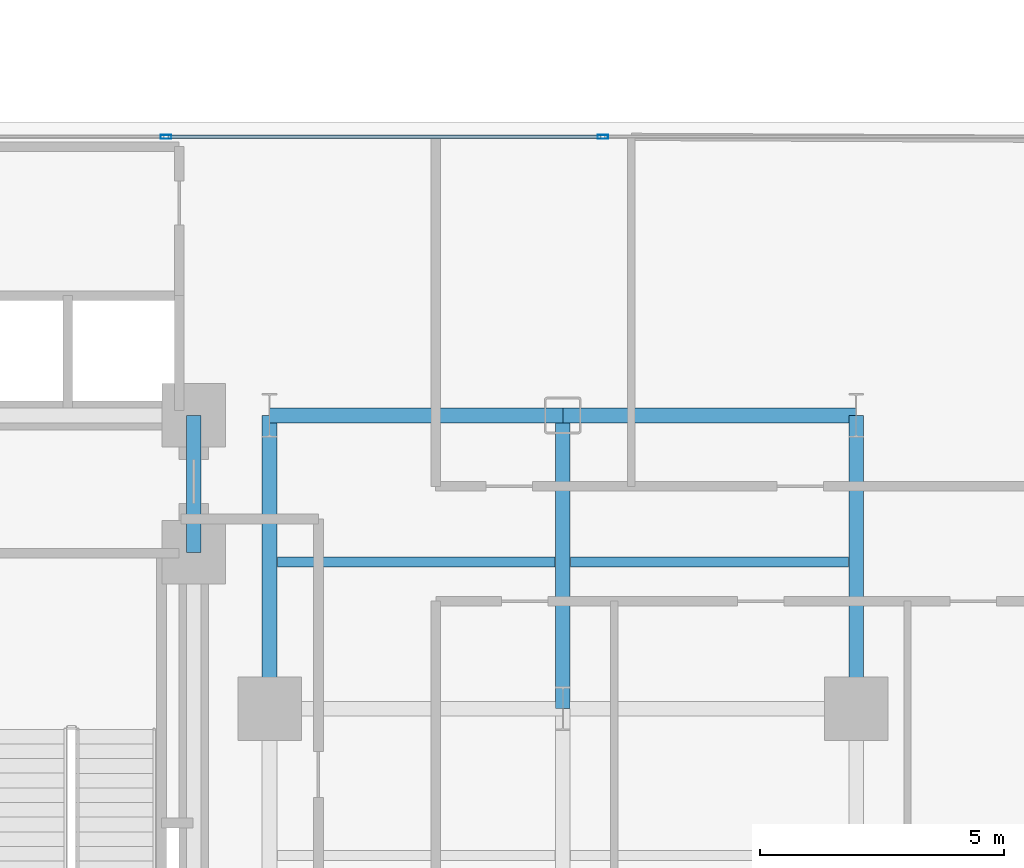
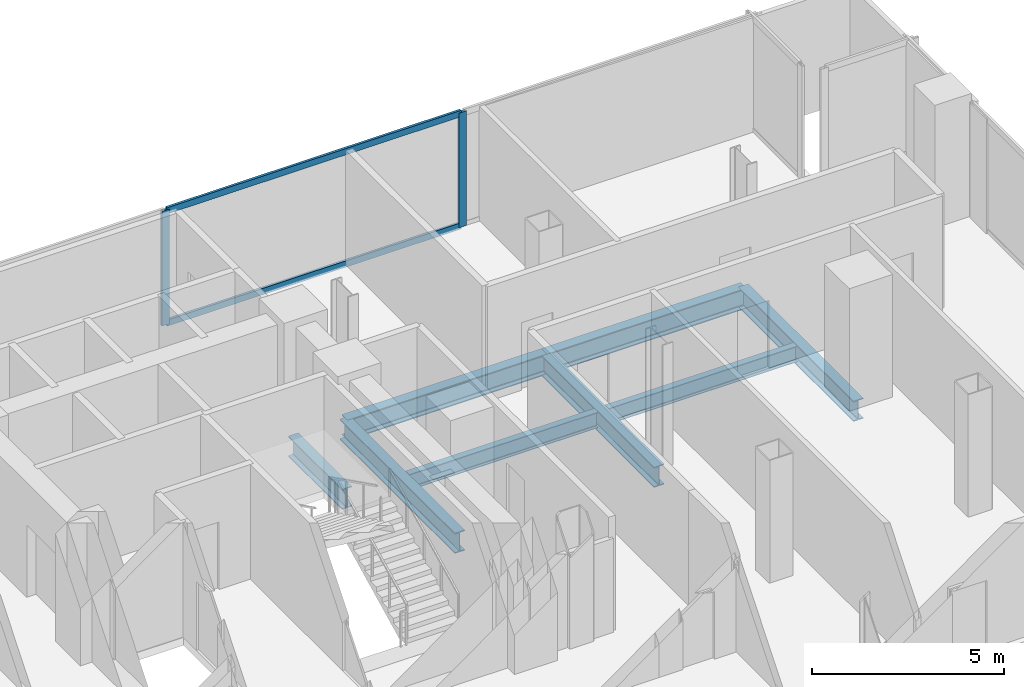
# One storey, part 11 of 27: 8 beams, 4 members, 1 element without a shape of its own.
"""IFC4 building model written with IfcOpenShell, lengths in metres."""

from ifc_helpers import new_model, si_unit, direction, frame, origin, origin_2d, place, context, subcontext, project, spatial, hollow_rectangle, i_section, extrude, material, layer, layer_set, material_profile, profile_set, type_object, element, aggregate, save


model = new_model("IFC4")

# Units and contexts
model_context = context("Model", 3, precision=1e-05, world=origin(), true_north=direction((0.0, 1.0)))
body_context = subcontext(model_context, "Body", "Model", "MODEL_VIEW")
ifc_project = project(units=[si_unit("LENGTHUNIT", "METRE"), si_unit("AREAUNIT", "SQUARE_METRE"), si_unit("VOLUMEUNIT", "CUBIC_METRE"), si_unit("PLANEANGLEUNIT", "RADIAN"), si_unit("MASSUNIT", "GRAM", prefix="KILO"), si_unit("THERMODYNAMICTEMPERATUREUNIT", "KELVIN"), si_unit("POWERUNIT", "WATT")], contexts=[model_context])

# Site, building, storey
site_placement = place(None, origin())
site = spatial("IfcSite", under=ifc_project, at=site_placement, CompositionType="ELEMENT")
building_placement = place(site_placement, origin())
building = spatial("IfcBuilding", under=site, at=building_placement, Name="Svarakhadi Broadcast Tower", CompositionType="ELEMENT")
storey_placement = place(building_placement, frame((0.0, 0.0, 55.800048828125)))
storey = spatial("IfcBuildingStorey", under=building, at=storey_placement, Name="L12", CompositionType="ELEMENT", Elevation=55.800048828125)

# Beams
ifc_material_1 = material(Name="Steel S355J2 (IS 2062 E350C)", Category="steel")
ifc_material_profile_1 = material_profile(ifc_material_1, i_section(OverallWidth=0.199951171875, OverallDepth=0.5, WebThickness=0.01025390625, FlangeThickness=0.01611328125, FilletRadius=0.02099609375, at=origin_2d()), Name="NPB 500x200x91")
ifc_profile_set_1 = profile_set([ifc_material_profile_1], Name="Steel S355J2 (IS 2062 E350C)")
beam_type_1 = type_object("IfcBeamType", Name="Beam_NPB500", PredefinedType="BEAM", material=ifc_profile_set_1)
for number, where, z_axis, x_axis, name in (
    (1, (35.31005859375, 15.0, -0.5), (1.0, 0.0, 0.0), (0.0, 1.0, 0.0), "L12 Secondary Composite Beam SB024"),
    (2, (41.31005859375, 15.0, -0.5), (1.0, 0.0, 0.0), (0.0, 1.0, 0.0), "L12 Secondary Composite Beam SB027"),
):
    element("IfcBeam", number, at=place(storey_placement, frame(where, z_axis=z_axis, x_axis=x_axis)), inside=storey, type_object=beam_type_1, Name=name, PredefinedType="BEAM", context=body_context, shape_type="SweptSolid", body=[
        extrude(i_section(OverallWidth=0.199951171875, OverallDepth=0.5, WebThickness=0.01025390625, FlangeThickness=0.01611328125, FilletRadius=0.02099609375, at=origin_2d()), origin(), (0.0, 0.0, 1.0), 5.679931640625),
    ])

# Curtain wall, members
ifc_material_2 = material(Name="Anodised Bronze Aluminium AA 6063-T6", Category="aluminium")
ifc_layer = layer(ifc_material_2, 0.219970703125)
ifc_layer_set = layer_set([ifc_layer], Name="Anodised Bronze Aluminium AA 6063-T6")
curtain_wall_type = type_object("IfcCurtainWallType", Name="CW_Sys_02", PredefinedType="NOTDEFINED", material=ifc_layer_set)
curtain_wall_placement = place(storey_placement, origin())
curtain_wall = element("IfcCurtainWall", 3, at=curtain_wall_placement, inside=storey, type_object=curtain_wall_type, Name="L12 Unitised Facade Curtain Wall 10", PredefinedType="NOTDEFINED")
ifc_material_profile_2 = material_profile(ifc_material_2, hollow_rectangle(XDim=0.0849609375, YDim=0.219970703125, WallThickness=0.006103515625, at=origin_2d()), Name="ALU MULLION 220x85x6")
ifc_profile_set_2 = profile_set([ifc_material_profile_2], Name="Anodised Bronze Aluminium AA 6063-T6")
member_type_1 = type_object("IfcMemberType", Name="CW_Sys_02_Mul", PredefinedType="MULLION", material=ifc_profile_set_2)
member_1_placement = place(storey_placement, frame((33.030029296875, 23.699951171875, 0.0), z_axis=(0.0, 0.0, 1.0), x_axis=(0.0, 1.0, 0.0)))
member_1 = element("IfcMember", 4, at=member_1_placement, type_object=member_type_1, Name="CW-02 mullion 2", PredefinedType="MULLION", context=body_context, shape_type="SweptSolid", body=[
    extrude(hollow_rectangle(XDim=0.0849609375, YDim=0.219970703125, WallThickness=0.006103515625, at=origin_2d()), origin(), (0.0, 0.0, 1.0), 3.64990234375),
])
member_2_placement = place(storey_placement, frame((41.969970703125, 23.699951171875, 0.0), z_axis=(0.0, 0.0, 1.0), x_axis=(0.0, 1.0, 0.0)))
member_2 = element("IfcMember", 5, at=member_2_placement, type_object=member_type_1, Name="CW-02 mullion 3", PredefinedType="MULLION", context=body_context, shape_type="SweptSolid", body=[
    extrude(hollow_rectangle(XDim=0.0849609375, YDim=0.219970703125, WallThickness=0.006103515625, at=origin_2d()), origin(), (0.0, 0.0, 1.0), 3.64990234375),
])
ifc_material_profile_3 = material_profile(ifc_material_2, hollow_rectangle(XDim=0.074951171875, YDim=0.199951171875, WallThickness=0.0048828125, at=origin_2d()), Name="ALU TRANSOM 200x75x5")
ifc_profile_set_3 = profile_set([ifc_material_profile_3], Name="Anodised Bronze Aluminium AA 6063-T6")
member_type_2 = type_object("IfcMemberType", Name="CW_Sys_02_Trn", PredefinedType="USERDEFINED", material=ifc_profile_set_3)
member_3_placement = place(storey_placement, frame((33.072509765625, 23.699951171875, 0.037353515625), z_axis=(1.0, 0.0, 0.0), x_axis=(0.0, 1.0, 0.0)))
member_3 = element("IfcMember", 6, at=member_3_placement, type_object=member_type_2, Name="CW-02 transom 2.1", ObjectType="TRANSOM", PredefinedType="USERDEFINED", context=body_context, shape_type="SweptSolid", body=[
    extrude(hollow_rectangle(XDim=0.074951171875, YDim=0.199951171875, WallThickness=0.0048828125, at=origin_2d()), origin(), (0.0, 0.0, 1.0), 8.85498046875),
])
member_4_placement = place(storey_placement, frame((33.072509765625, 23.699951171875, 3.612548828125), z_axis=(1.0, 0.0, 0.0), x_axis=(0.0, 1.0, 0.0)))
member_4 = element("IfcMember", 7, at=member_4_placement, type_object=member_type_2, Name="CW-02 transom 2.2", ObjectType="TRANSOM", PredefinedType="USERDEFINED", context=body_context, shape_type="SweptSolid", body=[
    extrude(hollow_rectangle(XDim=0.074951171875, YDim=0.199951171875, WallThickness=0.0048828125, at=origin_2d()), origin(), (0.0, 0.0, 1.0), 8.85498046875),
])
aggregate(curtain_wall, [member_1, member_2, member_3, member_4])

# Beams
ifc_material_profile_4 = material_profile(ifc_material_1, i_section(OverallWidth=0.300048828125, OverallDepth=0.64990234375, WebThickness=0.01611328125, FlangeThickness=0.031005859375, FilletRadius=0.027099609375, at=origin_2d()), Name="WPB 650x300x225")
ifc_profile_set_4 = profile_set([ifc_material_profile_4], Name="Steel S355J2 (IS 2062 E350C)")
beam_type_2 = type_object("IfcBeamType", Name="Girder_WPB650", PredefinedType="USERDEFINED", material=ifc_profile_set_4)
for number, where, z_axis, x_axis, name in (
    (8, (35.14990234375, 18.0, -0.574951171875), (1.0, 0.0, 0.0), (0.0, 1.0, 0.0), "L12 Primary E-W Girder G030"),
    (9, (41.14990234375, 18.0, -0.574951171875), (1.0, 0.0, 0.0), (0.0, 1.0, 0.0), "L12 Primary E-W Girder G031"),
):
    element("IfcBeam", number, at=place(storey_placement, frame(where, z_axis=z_axis, x_axis=x_axis)), inside=storey, type_object=beam_type_2, Name=name, ObjectType="GIRDER", PredefinedType="USERDEFINED", context=body_context, shape_type="SweptSolid", body=[
        extrude(i_section(OverallWidth=0.300048828125, OverallDepth=0.64990234375, WebThickness=0.01611328125, FlangeThickness=0.031005859375, FilletRadius=0.027099609375, at=origin_2d()), origin(), (0.0, 0.0, 1.0), 6.0),
    ])
beam_placement = place(storey_placement, frame((33.60009765625, 15.199951171875, -0.574951171875), z_axis=(0.0, 1.0, 0.0), x_axis=(-1.0, 0.0, 0.0)))
element("IfcBeam", 10, at=beam_placement, inside=storey, type_object=beam_type_2, Name="L12 Primary N-S Girder G075", ObjectType="GIRDER", PredefinedType="USERDEFINED", context=body_context, shape_type="SweptSolid", body=[
    extrude(i_section(OverallWidth=0.300048828125, OverallDepth=0.64990234375, WebThickness=0.01611328125, FlangeThickness=0.031005859375, FilletRadius=0.027099609375, at=origin_2d()), origin(), (0.0, 0.0, 1.0), 2.800048828125),
])
for number, where, z_axis, x_axis, name in (
    (11, (35.14990234375, 12.0, -0.574951171875), (0.0, 1.0, 0.0), (-1.0, 0.0, 0.0), "L12 Primary N-S Girder G078"),
    (12, (41.14990234375, 12.0, -0.574951171875), (0.0, 1.0, 0.0), (-1.0, 0.0, 0.0), "L12 Primary N-S Girder G081"),
    (13, (47.14990234375, 12.0, -0.574951171875), (0.0, 1.0, 0.0), (-1.0, 0.0, 0.0), "L12 Primary N-S Girder G084"),
):
    element("IfcBeam", number, at=place(storey_placement, frame(where, z_axis=z_axis, x_axis=x_axis)), inside=storey, type_object=beam_type_2, Name=name, ObjectType="GIRDER", PredefinedType="USERDEFINED", context=body_context, shape_type="SweptSolid", body=[
        extrude(i_section(OverallWidth=0.300048828125, OverallDepth=0.64990234375, WebThickness=0.01611328125, FlangeThickness=0.031005859375, FilletRadius=0.027099609375, at=origin_2d()), origin(), (0.0, 0.0, 1.0), 6.0),
    ])

save(model, "model.ifc")
